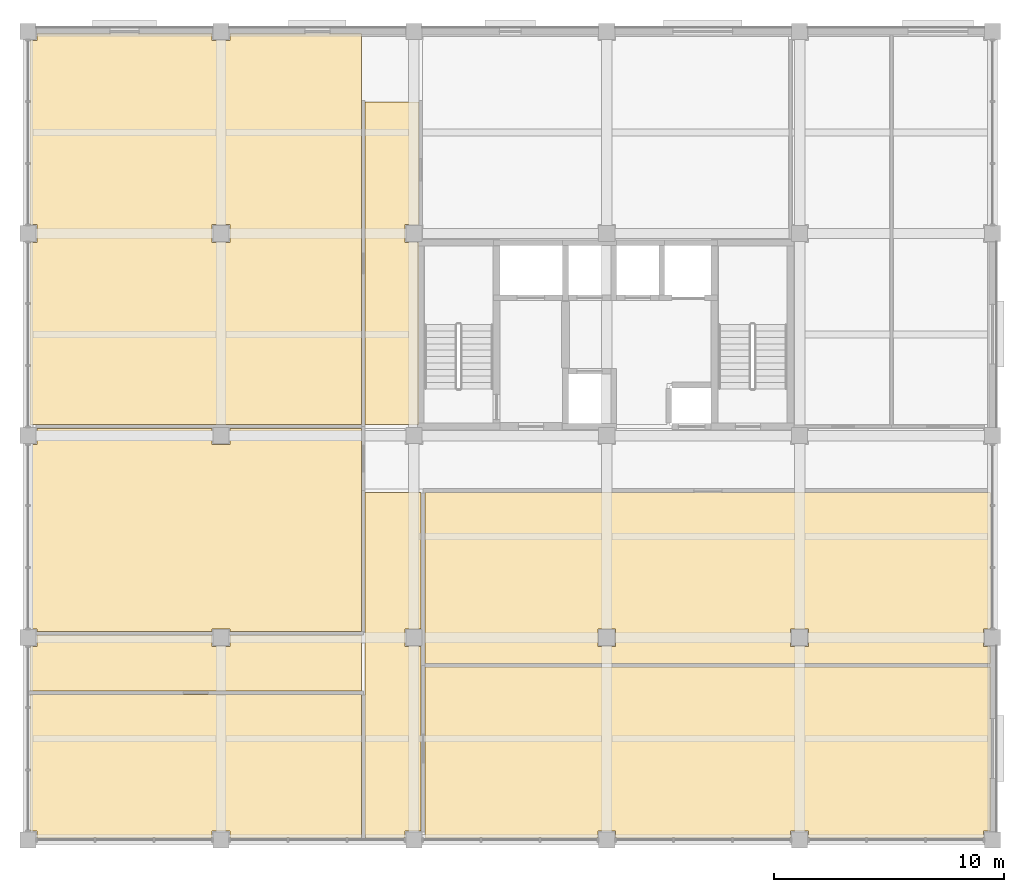
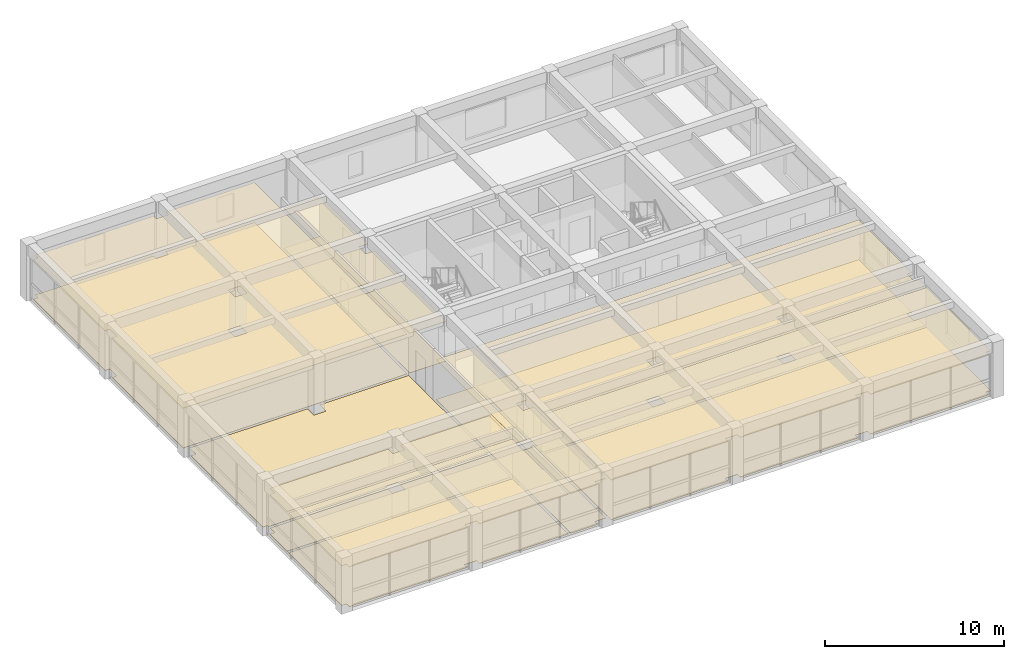
# One storey, part 11 of 13: 15 coverings.
"""IFC4 building model written with IfcOpenShell, lengths in metres."""

from ifc_helpers import new_model, si_unit, direction, frame, origin, place, context, subcontext, project, spatial, polyline, outline, extrude, material, layer, layer_set, type_object, element, save


model = new_model("IFC4")

# Units and contexts
model_context = context("Model", 3, precision=1e-05, world=origin(), true_north=direction((0.0, 1.0)))
body_context = subcontext(model_context, "Body", "Model", "MODEL_VIEW")
ifc_project = project(units=[si_unit("LENGTHUNIT", "METRE"), si_unit("AREAUNIT", "SQUARE_METRE"), si_unit("VOLUMEUNIT", "CUBIC_METRE"), si_unit("PLANEANGLEUNIT", "RADIAN"), si_unit("MASSUNIT", "GRAM", prefix="KILO")], contexts=[model_context])

# Site, building, storey
site_placement = place(None, origin())
site = spatial("IfcSite", under=ifc_project, at=site_placement, CompositionType="ELEMENT")
building_placement = place(site_placement, origin())
building = spatial("IfcBuilding", under=site, at=building_placement, Name="Kemercrest Conservatory and Botanical Centre", CompositionType="ELEMENT")
storey_placement = place(building_placement, frame((0.0, 0.0, 36.800048828125)))
storey = spatial("IfcBuildingStorey", under=building, at=storey_placement, Name="L09", CompositionType="ELEMENT", Elevation=36.800048828125)

# Coverings
ifc_material_1 = material(Name="Perforated acoustic gypsum and mineral-fibre suspended ceiling", Category="gypsum")
ifc_layer_1 = layer(ifc_material_1, 0.034912109375)
ifc_layer_set_1 = layer_set([ifc_layer_1], Name="Perforated acoustic gypsum and mineral-fibre suspended ceiling")
covering_type_1 = type_object("IfcCoveringType", Name="CV-CLG035", PredefinedType="CEILING", material=ifc_layer_set_1)
covering_1_placement = place(storey_placement, frame((0.0, 0.0, 2.699951171875)))
element("IfcCovering", 1, at=covering_1_placement, inside=storey, type_object=covering_type_1, Name="South Atrium Gallery Corridor suspended acoustic ceiling", PredefinedType="CEILING", context=body_context, shape_type="SweptSolid", body=[
    extrude(outline(polyline([(134.080078125, 93.679931640625), (148.52001953125, 93.679931640625), (148.52001953125, 96.1201171875), (142.7900390625, 96.1201171875), (142.7900390625, 95.610107421875), (142.010009765625, 95.610107421875), (142.010009765625, 96.1201171875), (134.389892578125, 96.1201171875), (134.389892578125, 95.610107421875), (134.080078125, 95.610107421875), (134.080078125, 93.679931640625)])), origin(), (0.0, 0.0, 1.0), 0.034912109375),
])
covering_2_placement = place(storey_placement, frame((0.0, 0.0, 2.699951171875)))
element("IfcCovering", 2, at=covering_2_placement, inside=storey, type_object=covering_type_1, Name="East Atrium Link Corridor suspended acoustic ceiling", PredefinedType="CEILING", context=body_context, shape_type="SweptSolid", body=[
    extrude(outline(polyline([(148.679931640625, 87.280029296875), (150.409912109375, 87.280029296875), (150.409912109375, 87.590087890625), (151.1201171875, 87.590087890625), (151.1201171875, 95.610107421875), (150.409912109375, 95.610107421875), (150.409912109375, 96.389892578125), (151.1201171875, 96.389892578125), (151.1201171875, 102.320068359375), (148.679931640625, 102.320068359375), (148.679931640625, 87.280029296875)])), origin(), (0.0, 0.0, 1.0), 0.034912109375),
])
covering_3_placement = place(storey_placement, frame((0.0, 0.0, 2.699951171875)))
element("IfcCovering", 3, at=covering_3_placement, inside=storey, type_object=covering_type_1, Name="Genomics Research Laboratory suspended acoustic ceiling", PredefinedType="CEILING", context=body_context, shape_type="SweptSolid", body=[
    extrude(outline(polyline([(142.7900390625, 87.280029296875), (148.52001953125, 87.280029296875), (148.52001953125, 93.52001953125), (134.080078125, 93.52001953125), (134.080078125, 87.590087890625), (134.389892578125, 87.590087890625), (134.389892578125, 87.280029296875), (142.010009765625, 87.280029296875), (142.010009765625, 87.590087890625), (142.7900390625, 87.590087890625), (142.7900390625, 87.280029296875)])), origin(), (0.0, 0.0, 1.0), 0.034912109375),
])
covering_4_placement = place(storey_placement, frame((0.0, 0.0, 2.699951171875)))
element("IfcCovering", 4, at=covering_4_placement, inside=storey, type_object=covering_type_1, Name="Molecular Botany Laboratory suspended acoustic ceiling", PredefinedType="CEILING", context=body_context, shape_type="SweptSolid", body=[
    extrude(outline(polyline([(175.919921875, 102.320068359375), (151.280029296875, 102.320068359375), (151.280029296875, 94.8798828125), (175.919921875, 94.8798828125), (175.919921875, 95.610107421875), (175.610107421875, 95.610107421875), (175.610107421875, 96.389892578125), (175.919921875, 96.389892578125), (175.919921875, 102.320068359375)]), holes=[polyline([(167.2099609375, 96.389892578125), (167.989990234375, 96.389892578125), (167.989990234375, 95.610107421875), (167.2099609375, 95.610107421875), (167.2099609375, 96.389892578125)]), polyline([(158.81005859375, 96.389892578125), (159.590087890625, 96.389892578125), (159.590087890625, 95.610107421875), (158.81005859375, 95.610107421875), (158.81005859375, 96.389892578125)])]), origin(), (0.0, 0.0, 1.0), 0.034912109375),
])
covering_5_placement = place(storey_placement, frame((0.0, 0.0, 2.699951171875)))
element("IfcCovering", 5, at=covering_5_placement, inside=storey, type_object=covering_type_1, Name="Bio-Imaging Studio suspended acoustic ceiling", PredefinedType="CEILING", context=body_context, shape_type="SweptSolid", body=[
    extrude(outline(polyline([(167.989990234375, 87.280029296875), (175.610107421875, 87.280029296875), (175.610107421875, 87.590087890625), (175.919921875, 87.590087890625), (175.919921875, 94.719970703125), (151.280029296875, 94.719970703125), (151.280029296875, 87.280029296875), (158.81005859375, 87.280029296875), (158.81005859375, 87.590087890625), (159.590087890625, 87.590087890625), (159.590087890625, 87.280029296875), (167.2099609375, 87.280029296875), (167.2099609375, 87.590087890625), (167.989990234375, 87.590087890625), (167.989990234375, 87.280029296875)])), origin(), (0.0, 0.0, 1.0), 0.034912109375),
])
covering_6_placement = place(storey_placement, frame((0.0, 0.0, 2.699951171875)))
element("IfcCovering", 6, at=covering_6_placement, inside=storey, type_object=covering_type_1, Name="Bioinformatics Studio suspended acoustic ceiling", PredefinedType="CEILING", context=body_context, shape_type="SweptSolid", body=[
    extrude(outline(polyline([(134.389892578125, 113.2099609375), (134.080078125, 113.2099609375), (134.080078125, 105.280029296875), (148.52001953125, 105.280029296875), (148.52001953125, 122.320068359375), (142.7900390625, 122.320068359375), (142.7900390625, 122.010009765625), (142.010009765625, 122.010009765625), (142.010009765625, 122.320068359375), (134.389892578125, 122.320068359375), (134.389892578125, 122.010009765625), (134.080078125, 122.010009765625), (134.080078125, 113.989990234375), (134.389892578125, 113.989990234375), (134.389892578125, 113.2099609375)]), holes=[polyline([(142.010009765625, 113.989990234375), (142.7900390625, 113.989990234375), (142.7900390625, 113.2099609375), (142.010009765625, 113.2099609375), (142.010009765625, 113.989990234375)])]), origin(), (0.0, 0.0, 1.0), 0.034912109375),
])
covering_7_placement = place(storey_placement, frame((0.0, 0.0, 2.699951171875)))
element("IfcCovering", 7, at=covering_7_placement, inside=storey, type_object=covering_type_1, Name="North Core Lobby Branch suspended acoustic ceiling", PredefinedType="CEILING", context=body_context, shape_type="SweptSolid", body=[
    extrude(outline(polyline([(148.679931640625, 105.280029296875), (151.02001953125, 105.280029296875), (151.02001953125, 113.2099609375), (150.409912109375, 113.2099609375), (150.409912109375, 113.989990234375), (151.02001953125, 113.989990234375), (151.02001953125, 119.320068359375), (148.679931640625, 119.320068359375), (148.679931640625, 105.280029296875)])), origin(), (0.0, 0.0, 1.0), 0.034912109375),
])
ifc_material_2 = material(Name="Polished limestone terrazzo and seamless laboratory epoxy flooring", Category="masonry")
ifc_layer_2 = layer(ifc_material_2, 0.02001953125)
ifc_layer_set_2 = layer_set([ifc_layer_2], Name="Polished limestone terrazzo and seamless laboratory epoxy flooring")
covering_type_2 = type_object("IfcCoveringType", Name="CV-FLR020", PredefinedType="FLOORING", material=ifc_layer_set_2)
covering_8_placement = place(storey_placement, origin())
element("IfcCovering", 8, at=covering_8_placement, inside=storey, type_object=covering_type_2, Name="South Atrium Gallery Corridor floor finish", PredefinedType="FLOORING", context=body_context, shape_type="SweptSolid", body=[
    extrude(outline(polyline([(134.080078125, 93.679931640625), (148.52001953125, 93.679931640625), (148.52001953125, 96.1201171875), (142.7900390625, 96.1201171875), (142.7900390625, 95.610107421875), (142.010009765625, 95.610107421875), (142.010009765625, 96.1201171875), (134.389892578125, 96.1201171875), (134.389892578125, 95.610107421875), (134.080078125, 95.610107421875), (134.080078125, 93.679931640625)])), origin(), (0.0, 0.0, 1.0), 0.02001953125),
])
covering_9_placement = place(storey_placement, origin())
element("IfcCovering", 9, at=covering_9_placement, inside=storey, type_object=covering_type_2, Name="East Atrium Link Corridor floor finish", PredefinedType="FLOORING", context=body_context, shape_type="SweptSolid", body=[
    extrude(outline(polyline([(148.679931640625, 87.280029296875), (150.409912109375, 87.280029296875), (150.409912109375, 87.590087890625), (151.1201171875, 87.590087890625), (151.1201171875, 95.610107421875), (150.409912109375, 95.610107421875), (150.409912109375, 96.389892578125), (151.1201171875, 96.389892578125), (151.1201171875, 102.320068359375), (148.679931640625, 102.320068359375), (148.679931640625, 87.280029296875)])), origin(), (0.0, 0.0, 1.0), 0.02001953125),
])
covering_10_placement = place(storey_placement, origin())
element("IfcCovering", 10, at=covering_10_placement, inside=storey, type_object=covering_type_2, Name="Research Winter Garden terrazzo floor finish", PredefinedType="FLOORING", context=body_context, shape_type="SweptSolid", body=[
    extrude(outline(polyline([(142.7900390625, 96.280029296875), (148.52001953125, 96.280029296875), (148.52001953125, 105.1201171875), (142.7900390625, 105.1201171875), (142.7900390625, 104.409912109375), (142.010009765625, 104.409912109375), (142.010009765625, 105.1201171875), (134.389892578125, 105.1201171875), (134.389892578125, 104.409912109375), (134.080078125, 104.409912109375), (134.080078125, 96.389892578125), (134.389892578125, 96.389892578125), (134.389892578125, 96.280029296875), (142.010009765625, 96.280029296875), (142.010009765625, 96.389892578125), (142.7900390625, 96.389892578125), (142.7900390625, 96.280029296875)])), origin(), (0.0, 0.0, 1.0), 0.02001953125),
])
covering_11_placement = place(storey_placement, origin())
element("IfcCovering", 11, at=covering_11_placement, inside=storey, type_object=covering_type_2, Name="Genomics Research Laboratory floor finish", PredefinedType="FLOORING", context=body_context, shape_type="SweptSolid", body=[
    extrude(outline(polyline([(142.7900390625, 87.280029296875), (148.52001953125, 87.280029296875), (148.52001953125, 93.52001953125), (134.080078125, 93.52001953125), (134.080078125, 87.590087890625), (134.389892578125, 87.590087890625), (134.389892578125, 87.280029296875), (142.010009765625, 87.280029296875), (142.010009765625, 87.590087890625), (142.7900390625, 87.590087890625), (142.7900390625, 87.280029296875)])), origin(), (0.0, 0.0, 1.0), 0.02001953125),
])
covering_12_placement = place(storey_placement, origin())
element("IfcCovering", 12, at=covering_12_placement, inside=storey, type_object=covering_type_2, Name="Molecular Botany Laboratory floor finish", PredefinedType="FLOORING", context=body_context, shape_type="SweptSolid", body=[
    extrude(outline(polyline([(175.919921875, 102.320068359375), (151.280029296875, 102.320068359375), (151.280029296875, 94.8798828125), (175.919921875, 94.8798828125), (175.919921875, 95.610107421875), (175.610107421875, 95.610107421875), (175.610107421875, 96.389892578125), (175.919921875, 96.389892578125), (175.919921875, 102.320068359375)]), holes=[polyline([(167.2099609375, 96.389892578125), (167.989990234375, 96.389892578125), (167.989990234375, 95.610107421875), (167.2099609375, 95.610107421875), (167.2099609375, 96.389892578125)]), polyline([(158.81005859375, 96.389892578125), (159.590087890625, 96.389892578125), (159.590087890625, 95.610107421875), (158.81005859375, 95.610107421875), (158.81005859375, 96.389892578125)])]), origin(), (0.0, 0.0, 1.0), 0.02001953125),
])
covering_13_placement = place(storey_placement, origin())
element("IfcCovering", 13, at=covering_13_placement, inside=storey, type_object=covering_type_2, Name="Bio-Imaging Studio floor finish", PredefinedType="FLOORING", context=body_context, shape_type="SweptSolid", body=[
    extrude(outline(polyline([(167.989990234375, 87.280029296875), (175.610107421875, 87.280029296875), (175.610107421875, 87.590087890625), (175.919921875, 87.590087890625), (175.919921875, 94.719970703125), (151.280029296875, 94.719970703125), (151.280029296875, 87.280029296875), (158.81005859375, 87.280029296875), (158.81005859375, 87.590087890625), (159.590087890625, 87.590087890625), (159.590087890625, 87.280029296875), (167.2099609375, 87.280029296875), (167.2099609375, 87.590087890625), (167.989990234375, 87.590087890625), (167.989990234375, 87.280029296875)])), origin(), (0.0, 0.0, 1.0), 0.02001953125),
])
covering_14_placement = place(storey_placement, origin())
element("IfcCovering", 14, at=covering_14_placement, inside=storey, type_object=covering_type_2, Name="Bioinformatics Studio floor finish", PredefinedType="FLOORING", context=body_context, shape_type="SweptSolid", body=[
    extrude(outline(polyline([(134.389892578125, 113.2099609375), (134.080078125, 113.2099609375), (134.080078125, 105.280029296875), (148.52001953125, 105.280029296875), (148.52001953125, 122.320068359375), (142.7900390625, 122.320068359375), (142.7900390625, 122.010009765625), (142.010009765625, 122.010009765625), (142.010009765625, 122.320068359375), (134.389892578125, 122.320068359375), (134.389892578125, 122.010009765625), (134.080078125, 122.010009765625), (134.080078125, 113.989990234375), (134.389892578125, 113.989990234375), (134.389892578125, 113.2099609375)]), holes=[polyline([(142.010009765625, 113.989990234375), (142.7900390625, 113.989990234375), (142.7900390625, 113.2099609375), (142.010009765625, 113.2099609375), (142.010009765625, 113.989990234375)])]), origin(), (0.0, 0.0, 1.0), 0.02001953125),
])
covering_15_placement = place(storey_placement, origin())
element("IfcCovering", 15, at=covering_15_placement, inside=storey, type_object=covering_type_2, Name="North Core Lobby Branch floor finish", PredefinedType="FLOORING", context=body_context, shape_type="SweptSolid", body=[
    extrude(outline(polyline([(148.679931640625, 105.280029296875), (151.02001953125, 105.280029296875), (151.02001953125, 113.2099609375), (150.409912109375, 113.2099609375), (150.409912109375, 113.989990234375), (151.02001953125, 113.989990234375), (151.02001953125, 119.320068359375), (148.679931640625, 119.320068359375), (148.679931640625, 105.280029296875)])), origin(), (0.0, 0.0, 1.0), 0.02001953125),
])

save(model, "model.ifc")
